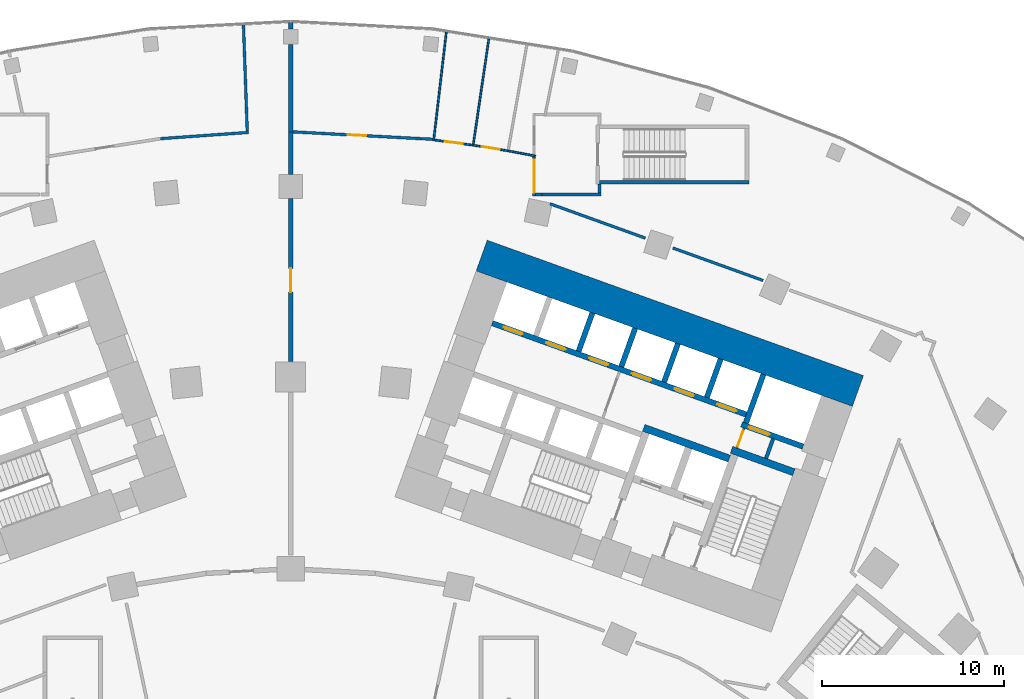
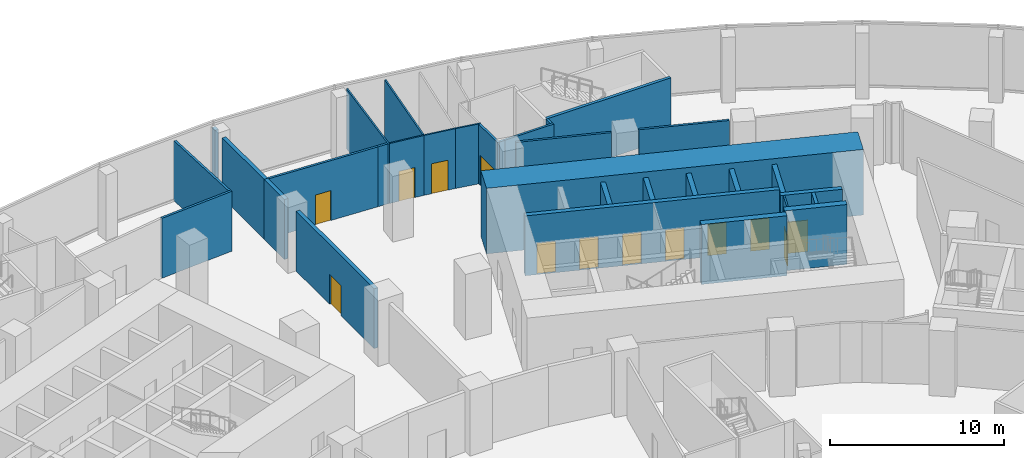
# One storey, part 28 of 39: 32 walls, 13 doors, 13 openings.
"""IFC4 building model written with IfcOpenShell, lengths in metres."""

from ifc_helpers import new_model, si_unit, direction, frame, frame_2d, origin, place, context, subcontext, project, spatial, rectangle, extrude, material, layer, layer_set, type_object, element, fill, save


model = new_model("IFC4")

# Units and contexts
model_context = context("Model", 3, precision=1e-05, world=origin(), true_north=direction((0.0, 1.0)))
body_context = subcontext(model_context, "Body", "Model", "MODEL_VIEW")
ifc_project = project(units=[si_unit("LENGTHUNIT", "METRE"), si_unit("AREAUNIT", "SQUARE_METRE"), si_unit("VOLUMEUNIT", "CUBIC_METRE"), si_unit("PLANEANGLEUNIT", "RADIAN"), si_unit("MASSUNIT", "GRAM", prefix="KILO")], contexts=[model_context])

# Site, building, storey
site_placement = place(None, origin())
site = spatial("IfcSite", under=ifc_project, at=site_placement, CompositionType="ELEMENT")
building_placement = place(site_placement, origin())
building = spatial("IfcBuilding", under=site, at=building_placement, Name="Stone Belt Terrace Tower", CompositionType="ELEMENT")
storey_placement = place(building_placement, frame((0.0, 0.0, 20.800048828125)))
storey = spatial("IfcBuildingStorey", under=building, at=storey_placement, Name="L04", CompositionType="ELEMENT", Elevation=20.800048828125)

# Walls
ifc_material_1 = material(Name="Concrete B30", Category="concrete")
ifc_layer_1 = layer(ifc_material_1, 0.25)
ifc_layer_set_1 = layer_set([ifc_layer_1], Name="Compartment wall 250")
wall_type_1 = type_object("IfcWallType", Name="Compartment wall 250", PredefinedType="SOLIDWALL", material=ifc_layer_set_1)
wall_1_placement = place(storey_placement, frame((0.0, 68.5, 0.0), z_axis=(0.0, 0.0, 1.0), x_axis=(0.0, 1.0, 0.0)))
element("IfcWall", 1, at=wall_1_placement, inside=storey, type_object=wall_type_1, Name="Compartment wall L04 6", PredefinedType="SOLIDWALL", context=body_context, shape_type="SweptSolid", body=[
    extrude(rectangle(XDim=4.807861328125, YDim=0.25, at=frame_2d((2.40380859375, 0.0))), origin(), (0.0, 0.0, 1.0), 4.199951171875),
])
wall_2_placement = place(storey_placement, frame((0.0, 74.14794921875, 0.0), z_axis=(0.0, 0.0, 1.0), x_axis=(0.0, 1.0, 0.0)))
element("IfcWall", 2, at=wall_2_placement, inside=storey, type_object=wall_type_1, Name="Compartment wall L04 6", PredefinedType="SOLIDWALL", context=body_context, shape_type="SweptSolid", body=[
    extrude(rectangle(XDim=0.35205078125, YDim=0.25, at=frame_2d((0.176025390625, 0.0))), origin(), (0.0, 0.0, 1.0), 4.199951171875),
])

# Wall, opening, door
ifc_material_2 = material(Name="Plasterboard partition")
ifc_layer_2 = layer(ifc_material_2, 0.10009765625)
ifc_layer_set_2 = layer_set([ifc_layer_2], Name="Core partition 100")
wall_type_2 = type_object("IfcWallType", Name="Core partition 100", PredefinedType="PARTITIONING", material=ifc_layer_set_2)
wall_3_placement = place(storey_placement, frame((24.555908203125, 51.10400390625, 0.0), z_axis=(0.0, 0.0, 1.0), x_axis=(0.338621735342, 0.94092258999, 0.0)))
wall_3 = element("IfcWall", 3, at=wall_3_placement, inside=storey, type_object=wall_type_2, Name="Core B wall", PredefinedType="PARTITIONING", context=body_context, shape_type="SweptSolid", body=[
    extrude(rectangle(XDim=1.14990234375, YDim=0.10009765625, at=frame_2d((0.574951171875, 0.0))), origin(), (0.0, 0.0, 1.0), 4.199951171875),
])
opening_1_placement = place(wall_3_placement, frame((0.050048828125, 0.0, 0.0)))
opening_1 = element("IfcOpeningElement", 4, at=opening_1_placement, cuts=wall_3, Name="Opening L04-C13", PredefinedType="OPENING", context=body_context, shape_type="SweptSolid", body=[
    extrude(rectangle(XDim=1.0, YDim=2.10009765625, at=frame_2d((0.5, 1.050048828125))), frame((0.0, 0.06005859375, 0.0), z_axis=(0.0, -1.0, 0.0), x_axis=(1.0, 0.0, 0.0)), (0.0, 0.0, 1.0), 0.1201171875),
])
ifc_material_3 = material(Name="Timber door leaf", Category="wood")
door_type_1 = type_object("IfcDoorType", Name="Core room door 1000", OperationType="SINGLE_SWING_LEFT", PredefinedType="DOOR", material=ifc_material_3)
door_1_placement = place(opening_1_placement, origin())
door_1 = element("IfcDoor", 5, at=door_1_placement, inside=storey, type_object=door_type_1, Name="Service lift lobby door core B", OperationType="SINGLE_SWING_RIGHT", OverallHeight=2.10009765625, OverallWidth=1.0, PredefinedType="DOOR", context=body_context, shape_type="SweptSolid", body=[
    extrude(rectangle(XDim=1.0, YDim=2.10009765625, at=frame_2d((0.5, 1.050048828125))), frame((0.0, 0.02490234375, 0.0), z_axis=(0.0, -1.0, 0.0), x_axis=(1.0, 0.0, 0.0)), (0.0, 0.0, 1.0), 0.050048828125),
])
fill(opening_1, door_1)

# Walls
ifc_material_4 = material(Name="Concrete B80", Category="concrete")
ifc_layer_3 = layer(ifc_material_4, 1.800048828125)
ifc_layer_set_3 = layer_set([ifc_layer_3], Name="Core wall 1800 B80")
wall_type_3 = type_object("IfcWallType", Name="Core wall 1800 B80", PredefinedType="SHEAR", material=ifc_layer_set_3)
wall_4_placement = place(storey_placement, frame((10.509033203125, 61.685546875, 0.0), z_axis=(0.0, 0.0, 1.0), x_axis=(0.940922914687, -0.338620833112, 0.0)))
element("IfcWall", 6, at=wall_4_placement, inside=storey, type_object=wall_type_3, Name="Core B wall convex L04", PredefinedType="SHEAR", context=body_context, shape_type="SweptSolid", body=[
    extrude(rectangle(XDim=22.000244140625, YDim=1.800048828125, at=frame_2d((11.0, 0.0))), origin(), (0.0, 0.0, 1.0), 4.599853515625),
])
ifc_layer_4 = layer(ifc_material_4, 0.39990234375)
ifc_layer_set_4 = layer_set([ifc_layer_4], Name="Fire-fighting lift shaft wall 400")
wall_type_4 = type_object("IfcWallType", Name="Fire-fighting lift shaft wall 400", PredefinedType="SHEAR", material=ifc_layer_set_4)
wall_5_placement = place(storey_placement, frame((24.130615234375, 50.512939453125, 0.0), z_axis=(0.0, 0.0, 1.0), x_axis=(-0.94091168377, 0.338652038744, 0.0)))
element("IfcWall", 7, at=wall_5_placement, inside=storey, type_object=wall_type_4, Name="Core B wall", PredefinedType="SHEAR", context=body_context, shape_type="SweptSolid", body=[
    extrude(rectangle(XDim=5.000244140625, YDim=0.39990234375, at=frame_2d((2.5, 0.0))), origin(), (0.0, 0.0, 1.0), 4.199951171875),
])

# Wall, opening, door
ifc_material_5 = material(Name="Fire-resistant glazing in steel frame", Category="steel")
ifc_layer_5 = layer(ifc_material_5, 0.25)
ifc_layer_set_5 = layer_set([ifc_layer_5], Name="Glazed compartment fire screen 250")
wall_type_5 = type_object("IfcWallType", Name="Glazed compartment fire screen 250", PredefinedType="PARTITIONING", material=ifc_layer_set_5)
wall_6_placement = place(storey_placement, frame((0.0, 55.844970703125, 0.0), z_axis=(0.0, 0.0, 1.0), x_axis=(0.0, 1.0, 0.0)))
wall_6 = element("IfcWall", 8, at=wall_6_placement, inside=storey, type_object=wall_type_5, Name="Compartment fire screen L04 4", PredefinedType="PARTITIONING", context=body_context, shape_type="SweptSolid", body=[
    extrude(rectangle(XDim=8.973876953125, YDim=0.25, at=frame_2d((4.48681640625, 0.0))), origin(), (0.0, 0.0, 1.0), 4.199951171875),
])
opening_2_placement = place(wall_6_placement, frame((3.8369140625, 0.0, 0.0)))
opening_2 = element("IfcOpeningElement", 9, at=opening_2_placement, cuts=wall_6, Name="Opening L04-P30", PredefinedType="OPENING", context=body_context, shape_type="SweptSolid", body=[
    extrude(rectangle(XDim=1.300048828125, YDim=2.10009765625, at=frame_2d((0.64990234375, 1.050048828125))), frame((0.0, 0.135009765625, 0.0), z_axis=(0.0, -1.0, 0.0), x_axis=(1.0, 0.0, 0.0)), (0.0, 0.0, 1.0), 0.27001953125),
])
ifc_material_6 = material(Name="Steel framed fire door leaf", Category="steel")
door_type_2 = type_object("IfcDoorType", Name="Fire door 1300 x 2100 EI 60", OperationType="SINGLE_SWING_LEFT", PredefinedType="DOOR", material=ifc_material_6)
door_2_placement = place(opening_2_placement, origin())
door_2 = element("IfcDoor", 10, at=door_2_placement, inside=storey, type_object=door_type_2, Name="Fire door 1300 x 2100 EI 60", OperationType="SINGLE_SWING_LEFT", OverallHeight=2.10009765625, OverallWidth=1.300048828125, PredefinedType="DOOR", context=body_context, shape_type="SweptSolid", body=[
    extrude(rectangle(XDim=1.300048828125, YDim=2.10009765625, at=frame_2d((0.64990234375, 1.050048828125))), frame((0.0, 0.02490234375, 0.0), z_axis=(0.0, -1.0, 0.0), x_axis=(1.0, 0.0, 0.0)), (0.0, 0.0, 1.0), 0.050048828125),
])
fill(opening_2, door_2)

# Wall
wall_7_placement = place(storey_placement, frame((0.0, 66.158935546875, 0.0), z_axis=(0.0, 0.0, 1.0), x_axis=(0.0, 1.0, 0.0)))
element("IfcWall", 11, at=wall_7_placement, inside=storey, type_object=wall_type_5, Name="Compartment fire screen L04 4", PredefinedType="PARTITIONING", context=body_context, shape_type="SweptSolid", body=[
    extrude(rectangle(XDim=2.341064453125, YDim=0.25, at=frame_2d((1.17041015625, 0.0))), origin(), (0.0, 0.0, 1.0), 4.199951171875),
])

# Wall, opening, door
ifc_layer_6 = layer(ifc_material_4, 0.300048828125)
ifc_layer_set_6 = layer_set([ifc_layer_6], Name="Lift shaft wall 300")
wall_type_6 = type_object("IfcWallType", Name="Lift shaft wall 300", PredefinedType="SHEAR", material=ifc_layer_set_6)
wall_8_placement = place(storey_placement, frame((28.195068359375, 51.17578125, 0.0), z_axis=(0.0, 0.0, 1.0), x_axis=(-0.940901243567, 0.338681044427, 0.0)))
wall_8 = element("IfcWall", 12, at=wall_8_placement, inside=storey, type_object=wall_type_6, Name="Core B wall", PredefinedType="SHEAR", context=body_context, shape_type="SweptSolid", body=[
    extrude(rectangle(XDim=3.599853515625, YDim=0.300048828125, at=frame_2d((1.7998046875, 0.0))), origin(), (0.0, 0.0, 1.0), 4.199951171875),
])
opening_3_placement = place(wall_8_placement, frame((1.969970703125, 0.0, 0.0)))
opening_3 = element("IfcOpeningElement", 13, at=opening_3_placement, cuts=wall_8, Name="Opening L04-LD18", PredefinedType="OPENING", context=body_context, shape_type="SweptSolid", body=[
    extrude(rectangle(XDim=1.199951171875, YDim=2.199951171875, at=frame_2d((0.60009765625, 1.10009765625))), frame((0.0, 0.159912109375, 0.0), z_axis=(0.0, -1.0, 0.0), x_axis=(1.0, 0.0, 0.0)), (0.0, 0.0, 1.0), 0.320068359375),
])
ifc_material_7 = material(Name="Stainless steel door leaf", Category="steel")
door_type_3 = type_object("IfcDoorType", Name="Landing door 1200", OperationType="SLIDING_TO_LEFT", PredefinedType="DOOR", material=ifc_material_7)
door_3_placement = place(opening_3_placement, origin())
door_3 = element("IfcDoor", 14, at=door_3_placement, inside=storey, type_object=door_type_3, Name="Landing door SV1 core B", OperationType="SLIDING_TO_LEFT", OverallHeight=2.199951171875, OverallWidth=1.199951171875, PredefinedType="DOOR", context=body_context, shape_type="SweptSolid", body=[
    extrude(rectangle(XDim=1.199951171875, YDim=2.199951171875, at=frame_2d((0.60009765625, 1.10009765625))), frame((0.0, 0.02490234375, 0.0), z_axis=(0.0, -1.0, 0.0), x_axis=(1.0, 0.0, 0.0)), (0.0, 0.0, 1.0), 0.050048828125),
])
fill(opening_3, door_3)

# Wall
wall_9_placement = place(storey_placement, frame((25.046875, 52.46826171875, 0.0), z_axis=(0.0, 0.0, 1.0), x_axis=(0.338549588058, 0.940948551423, 0.0)))
element("IfcWall", 15, at=wall_9_placement, inside=storey, type_object=wall_type_6, Name="Core B wall", PredefinedType="SHEAR", context=body_context, shape_type="SweptSolid", body=[
    extrude(rectangle(XDim=2.849853515625, YDim=0.300048828125, at=frame_2d((1.4248046875, 0.0))), origin(), (0.0, 0.0, 1.0), 4.199951171875),
])

# Wall, openings, doors
wall_10_placement = place(storey_placement, frame((25.05810546875, 52.9423828125, 0.0), z_axis=(0.0, 0.0, 1.0), x_axis=(-0.940918215764, 0.338633889685, 0.0)))
wall_10 = element("IfcWall", 16, at=wall_10_placement, inside=storey, type_object=wall_type_6, Name="Core B wall", PredefinedType="SHEAR", context=body_context, shape_type="SweptSolid", body=[
    extrude(rectangle(XDim=14.850341796875, YDim=0.300048828125, at=frame_2d((7.42529296875, 0.0))), origin(), (0.0, 0.0, 1.0), 4.199951171875),
])
opening_4_placement = place(wall_10_placement, frame((0.570068359375, 0.0, 0.0)))
opening_4 = element("IfcOpeningElement", 17, at=opening_4_placement, cuts=wall_10, Name="Opening L04-LD10", PredefinedType="OPENING", context=body_context, shape_type="SweptSolid", body=[
    extrude(rectangle(XDim=1.10009765625, YDim=2.199951171875, at=frame_2d((0.550048828125, 1.10009765625))), frame((0.0, 0.159912109375, 0.0), z_axis=(0.0, -1.0, 0.0), x_axis=(1.0, 0.0, 0.0)), (0.0, 0.0, 1.0), 0.320068359375),
])
opening_5_placement = place(wall_10_placement, frame((3.070068359375, 0.0, 0.0)))
opening_5 = element("IfcOpeningElement", 18, at=opening_5_placement, cuts=wall_10, Name="Opening L04-LD11", PredefinedType="OPENING", context=body_context, shape_type="SweptSolid", body=[
    extrude(rectangle(XDim=1.10009765625, YDim=2.199951171875, at=frame_2d((0.550048828125, 1.10009765625))), frame((0.0, 0.159912109375, 0.0), z_axis=(0.0, -1.0, 0.0), x_axis=(1.0, 0.0, 0.0)), (0.0, 0.0, 1.0), 0.320068359375),
])
opening_6_placement = place(wall_10_placement, frame((5.570068359375, 0.0, 0.0)))
opening_6 = element("IfcOpeningElement", 19, at=opening_6_placement, cuts=wall_10, Name="Opening L04-LD12", PredefinedType="OPENING", context=body_context, shape_type="SweptSolid", body=[
    extrude(rectangle(XDim=1.10009765625, YDim=2.199951171875, at=frame_2d((0.550048828125, 1.10009765625))), frame((0.0, 0.159912109375, 0.0), z_axis=(0.0, -1.0, 0.0), x_axis=(1.0, 0.0, 0.0)), (0.0, 0.0, 1.0), 0.320068359375),
])
opening_7_placement = place(wall_10_placement, frame((8.070068359375, 0.0, 0.0)))
opening_7 = element("IfcOpeningElement", 20, at=opening_7_placement, cuts=wall_10, Name="Opening L04-LD13", PredefinedType="OPENING", context=body_context, shape_type="SweptSolid", body=[
    extrude(rectangle(XDim=1.10009765625, YDim=2.199951171875, at=frame_2d((0.550048828125, 1.10009765625))), frame((0.0, 0.159912109375, 0.0), z_axis=(0.0, -1.0, 0.0), x_axis=(1.0, 0.0, 0.0)), (0.0, 0.0, 1.0), 0.320068359375),
])
opening_8_placement = place(wall_10_placement, frame((10.570068359375, 0.0, 0.0)))
opening_8 = element("IfcOpeningElement", 21, at=opening_8_placement, cuts=wall_10, Name="Opening L04-LD14", PredefinedType="OPENING", context=body_context, shape_type="SweptSolid", body=[
    extrude(rectangle(XDim=1.10009765625, YDim=2.199951171875, at=frame_2d((0.550048828125, 1.10009765625))), frame((0.0, 0.159912109375, 0.0), z_axis=(0.0, -1.0, 0.0), x_axis=(1.0, 0.0, 0.0)), (0.0, 0.0, 1.0), 0.320068359375),
])
opening_9_placement = place(wall_10_placement, frame((13.070068359375, 0.0, 0.0)))
opening_9 = element("IfcOpeningElement", 22, at=opening_9_placement, cuts=wall_10, Name="Opening L04-LD15", PredefinedType="OPENING", context=body_context, shape_type="SweptSolid", body=[
    extrude(rectangle(XDim=1.10009765625, YDim=2.199951171875, at=frame_2d((0.550048828125, 1.10009765625))), frame((0.0, 0.159912109375, 0.0), z_axis=(0.0, -1.0, 0.0), x_axis=(1.0, 0.0, 0.0)), (0.0, 0.0, 1.0), 0.320068359375),
])
door_type_4 = type_object("IfcDoorType", Name="Landing door 1100", OperationType="SLIDING_TO_LEFT", PredefinedType="DOOR", material=ifc_material_7)
door_4_placement = place(opening_4_placement, origin())
door_4 = element("IfcDoor", 23, at=door_4_placement, inside=storey, type_object=door_type_4, Name="Landing door LR1 core B", OperationType="SLIDING_TO_LEFT", OverallHeight=2.199951171875, OverallWidth=1.10009765625, PredefinedType="DOOR", context=body_context, shape_type="SweptSolid", body=[
    extrude(rectangle(XDim=1.10009765625, YDim=2.199951171875, at=frame_2d((0.550048828125, 1.10009765625))), frame((0.0, 0.02490234375, 0.0), z_axis=(0.0, -1.0, 0.0), x_axis=(1.0, 0.0, 0.0)), (0.0, 0.0, 1.0), 0.050048828125),
])
fill(opening_4, door_4)
door_5_placement = place(opening_5_placement, origin())
door_5 = element("IfcDoor", 24, at=door_5_placement, inside=storey, type_object=door_type_4, Name="Landing door LR2 core B", OperationType="SLIDING_TO_LEFT", OverallHeight=2.199951171875, OverallWidth=1.10009765625, PredefinedType="DOOR", context=body_context, shape_type="SweptSolid", body=[
    extrude(rectangle(XDim=1.10009765625, YDim=2.199951171875, at=frame_2d((0.550048828125, 1.10009765625))), frame((0.0, 0.02490234375, 0.0), z_axis=(0.0, -1.0, 0.0), x_axis=(1.0, 0.0, 0.0)), (0.0, 0.0, 1.0), 0.050048828125),
])
fill(opening_5, door_5)
door_6_placement = place(opening_6_placement, origin())
door_6 = element("IfcDoor", 25, at=door_6_placement, inside=storey, type_object=door_type_4, Name="Landing door LR3 core B", OperationType="SLIDING_TO_LEFT", OverallHeight=2.199951171875, OverallWidth=1.10009765625, PredefinedType="DOOR", context=body_context, shape_type="SweptSolid", body=[
    extrude(rectangle(XDim=1.10009765625, YDim=2.199951171875, at=frame_2d((0.550048828125, 1.10009765625))), frame((0.0, 0.02490234375, 0.0), z_axis=(0.0, -1.0, 0.0), x_axis=(1.0, 0.0, 0.0)), (0.0, 0.0, 1.0), 0.050048828125),
])
fill(opening_6, door_6)
door_7_placement = place(opening_7_placement, origin())
door_7 = element("IfcDoor", 26, at=door_7_placement, inside=storey, type_object=door_type_4, Name="Landing door LR4 core B", OperationType="SLIDING_TO_LEFT", OverallHeight=2.199951171875, OverallWidth=1.10009765625, PredefinedType="DOOR", context=body_context, shape_type="SweptSolid", body=[
    extrude(rectangle(XDim=1.10009765625, YDim=2.199951171875, at=frame_2d((0.550048828125, 1.10009765625))), frame((0.0, 0.02490234375, 0.0), z_axis=(0.0, -1.0, 0.0), x_axis=(1.0, 0.0, 0.0)), (0.0, 0.0, 1.0), 0.050048828125),
])
fill(opening_7, door_7)
door_8_placement = place(opening_8_placement, origin())
door_8 = element("IfcDoor", 27, at=door_8_placement, inside=storey, type_object=door_type_4, Name="Landing door LR5 core B", OperationType="SLIDING_TO_LEFT", OverallHeight=2.199951171875, OverallWidth=1.10009765625, PredefinedType="DOOR", context=body_context, shape_type="SweptSolid", body=[
    extrude(rectangle(XDim=1.10009765625, YDim=2.199951171875, at=frame_2d((0.550048828125, 1.10009765625))), frame((0.0, 0.02490234375, 0.0), z_axis=(0.0, -1.0, 0.0), x_axis=(1.0, 0.0, 0.0)), (0.0, 0.0, 1.0), 0.050048828125),
])
fill(opening_8, door_8)
door_9_placement = place(opening_9_placement, origin())
door_9 = element("IfcDoor", 28, at=door_9_placement, inside=storey, type_object=door_type_4, Name="Landing door LR6 core B", OperationType="SLIDING_TO_LEFT", OverallHeight=2.199951171875, OverallWidth=1.10009765625, PredefinedType="DOOR", context=body_context, shape_type="SweptSolid", body=[
    extrude(rectangle(XDim=1.10009765625, YDim=2.199951171875, at=frame_2d((0.550048828125, 1.10009765625))), frame((0.0, 0.02490234375, 0.0), z_axis=(0.0, -1.0, 0.0), x_axis=(1.0, 0.0, 0.0)), (0.0, 0.0, 1.0), 0.050048828125),
])
fill(opening_9, door_9)

# Walls
wall_11_placement = place(storey_placement, frame((22.897705078125, 53.87939453125, 0.0), z_axis=(0.0, 0.0, 1.0), x_axis=(0.338535034312, 0.940953787677, 0.0)))
element("IfcWall", 29, at=wall_11_placement, inside=storey, type_object=wall_type_6, Name="Core B wall", PredefinedType="SHEAR", context=body_context, shape_type="SweptSolid", body=[
    extrude(rectangle(XDim=2.25, YDim=0.300048828125, at=frame_2d((1.125, 0.0))), origin(), (0.0, 0.0, 1.0), 4.199951171875),
])
wall_12_placement = place(storey_placement, frame((20.54541015625, 54.72607421875, 0.0), z_axis=(0.0, 0.0, 1.0), x_axis=(0.338569601369, 0.940941350472, 0.0)))
element("IfcWall", 30, at=wall_12_placement, inside=storey, type_object=wall_type_6, Name="Core B wall", PredefinedType="SHEAR", context=body_context, shape_type="SweptSolid", body=[
    extrude(rectangle(XDim=2.249755859375, YDim=0.300048828125, at=frame_2d((1.125, 0.0))), origin(), (0.0, 0.0, 1.0), 4.199951171875),
])
wall_13_placement = place(storey_placement, frame((18.193115234375, 55.572509765625, 0.0), z_axis=(0.0, 0.0, 1.0), x_axis=(0.338535034312, 0.940953787677, 0.0)))
element("IfcWall", 31, at=wall_13_placement, inside=storey, type_object=wall_type_6, Name="Core B wall", PredefinedType="SHEAR", context=body_context, shape_type="SweptSolid", body=[
    extrude(rectangle(XDim=2.25, YDim=0.300048828125, at=frame_2d((1.125, 0.0))), origin(), (0.0, 0.0, 1.0), 4.199951171875),
])
wall_14_placement = place(storey_placement, frame((15.8408203125, 56.419189453125, 0.0), z_axis=(0.0, 0.0, 1.0), x_axis=(0.338569601369, 0.940941350472, 0.0)))
element("IfcWall", 32, at=wall_14_placement, inside=storey, type_object=wall_type_6, Name="Core B wall", PredefinedType="SHEAR", context=body_context, shape_type="SweptSolid", body=[
    extrude(rectangle(XDim=2.249755859375, YDim=0.300048828125, at=frame_2d((1.125, 0.0))), origin(), (0.0, 0.0, 1.0), 4.199951171875),
])
ifc_material_8 = material(Name="Gypsum board on steel stud partition", Category="steel")
ifc_layer_7 = layer(ifc_material_8, 0.14990234375)
ifc_layer_set_7 = layer_set([ifc_layer_7], Name="Podium partition 150")
wall_type_7 = type_object("IfcWallType", Name="Podium partition 150", PredefinedType="PARTITIONING", material=ifc_layer_set_7)
wall_15_placement = place(storey_placement, frame((-7.15673828125, 68.1201171875, 0.0), z_axis=(0.0, 0.0, 1.0), x_axis=(0.997467628249, 0.071121941725, 0.0)))
element("IfcWall", 33, at=wall_15_placement, inside=storey, type_object=wall_type_7, Name="Podium partition 150", PredefinedType="PARTITIONING", context=body_context, shape_type="SweptSolid", body=[
    extrude(rectangle(XDim=4.853759765625, YDim=0.14990234375, at=frame_2d((2.4267578125, 0.0))), origin(), (0.0, 0.0, 1.0), 4.199951171875),
])
wall_16_placement = place(storey_placement, frame((-2.603515625, 74.45458984375, 0.0), z_axis=(0.0, 0.0, 1.0), x_axis=(0.035610673417, -0.999365738826, 0.0)))
element("IfcWall", 34, at=wall_16_placement, inside=storey, type_object=wall_type_7, Name="Podium partition 150", PredefinedType="PARTITIONING", context=body_context, shape_type="SweptSolid", body=[
    extrude(rectangle(XDim=5.92333984375, YDim=0.14990234375, at=frame_2d((2.961669921875, 0.0))), origin(), (0.0, 0.0, 1.0), 4.199951171875),
])

# Wall, opening, door
wall_17_placement = place(storey_placement, frame((0.125, 68.493408203125, 0.0), z_axis=(0.0, 0.0, 1.0), x_axis=(0.998595046743, -0.052989929426, 0.0)))
wall_17 = element("IfcWall", 35, at=wall_17_placement, inside=storey, type_object=wall_type_7, Name="Podium partition 150", PredefinedType="PARTITIONING", context=body_context, shape_type="SweptSolid", body=[
    extrude(rectangle(XDim=7.044677734375, YDim=0.14990234375, at=frame_2d((3.5224609375, 0.0))), origin(), (0.0, 0.0, 1.0), 4.199951171875),
])
opening_10_placement = place(wall_17_placement, frame((3.022216796875, 0.0, 0.0)))
opening_10 = element("IfcOpeningElement", 36, at=opening_10_placement, cuts=wall_17, Name="Opening L04-P12", PredefinedType="OPENING", context=body_context, shape_type="SweptSolid", body=[
    extrude(rectangle(XDim=1.0, YDim=2.10009765625, at=frame_2d((0.5, 1.050048828125))), frame((0.0, 0.0849609375, 0.0), z_axis=(0.0, -1.0, 0.0), x_axis=(1.0, 0.0, 0.0)), (0.0, 0.0, 1.0), 0.169921875),
])
ifc_material_9 = material(Name="Steel framed door leaf", Category="steel")
door_type_5 = type_object("IfcDoorType", Name="Podium door single 1000", OperationType="SINGLE_SWING_LEFT", PredefinedType="DOOR", material=ifc_material_9)
door_10_placement = place(opening_10_placement, origin())
door_10 = element("IfcDoor", 37, at=door_10_placement, inside=storey, type_object=door_type_5, Name="Podium door single 1000", OperationType="SINGLE_SWING_RIGHT", OverallHeight=2.10009765625, OverallWidth=1.0, PredefinedType="DOOR", context=body_context, shape_type="SweptSolid", body=[
    extrude(rectangle(XDim=1.0, YDim=2.10009765625, at=frame_2d((0.5, 1.050048828125))), frame((0.0, 0.02490234375, 0.0), z_axis=(0.0, -1.0, 0.0), x_axis=(1.0, 0.0, 0.0)), (0.0, 0.0, 1.0), 0.050048828125),
])
fill(opening_10, door_10)

# Wall
wall_18_placement = place(storey_placement, frame((7.160400390625, 68.1201171875, 0.0), z_axis=(0.0, 0.0, 1.0), x_axis=(0.998965488776, -0.045474742827, 0.0)))
element("IfcWall", 38, at=wall_18_placement, inside=storey, type_object=wall_type_7, Name="Podium partition 150", PredefinedType="PARTITIONING", context=body_context, shape_type="SweptSolid", body=[
    extrude(rectangle(XDim=0.660400390625, YDim=0.14990234375, at=frame_2d((0.330078125, 0.0))), origin(), (0.0, 0.0, 1.0), 4.199951171875),
])

# Wall, opening, door
wall_19_placement = place(storey_placement, frame((13.389892578125, 64.97509765625, 0.0), z_axis=(0.0, 0.0, 1.0), x_axis=(0.0, 1.0, 0.0)))
wall_19 = element("IfcWall", 39, at=wall_19_placement, inside=storey, type_object=wall_type_7, Name="Podium partition 150", PredefinedType="PARTITIONING", context=body_context, shape_type="SweptSolid", body=[
    extrude(rectangle(XDim=2.154052734375, YDim=0.14990234375, at=frame_2d((1.0771484375, 0.0))), origin(), (0.0, 0.0, 1.0), 4.199951171875),
])
opening_11_placement = place(wall_19_placement, frame((0.177001953125, 0.0, 0.0)))
opening_11 = element("IfcOpeningElement", 40, at=opening_11_placement, cuts=wall_19, Name="Opening L04-P36", PredefinedType="OPENING", context=body_context, shape_type="SweptSolid", body=[
    extrude(rectangle(XDim=1.800048828125, YDim=2.10009765625, at=frame_2d((0.89990234375, 1.050048828125))), frame((0.0, 0.0849609375, 0.0), z_axis=(0.0, -1.0, 0.0), x_axis=(1.0, 0.0, 0.0)), (0.0, 0.0, 1.0), 0.169921875),
])
door_type_6 = type_object("IfcDoorType", Name="Podium door double 1800", OperationType="DOUBLE_DOOR_SINGLE_SWING", PredefinedType="DOOR", material=ifc_material_9)
door_11_placement = place(opening_11_placement, origin())
door_11 = element("IfcDoor", 41, at=door_11_placement, inside=storey, type_object=door_type_6, Name="Podium door double 1800", OperationType="DOUBLE_DOOR_SINGLE_SWING", OverallHeight=2.10009765625, OverallWidth=1.800048828125, PredefinedType="DOOR", context=body_context, shape_type="SweptSolid", body=[
    extrude(rectangle(XDim=1.800048828125, YDim=2.10009765625, at=frame_2d((0.89990234375, 1.050048828125))), frame((0.0, 0.02490234375, 0.0), z_axis=(0.0, -1.0, 0.0), x_axis=(1.0, 0.0, 0.0)), (0.0, 0.0, 1.0), 0.050048828125),
])
fill(opening_11, door_11)

# Walls
wall_20_placement = place(storey_placement, frame((13.465087890625, 65.050048828125, 0.0), z_axis=(0.0, 0.0, 1.0), x_axis=(1.0, 0.0, 0.0)))
element("IfcWall", 42, at=wall_20_placement, inside=storey, type_object=wall_type_7, Name="Podium partition 150", PredefinedType="PARTITIONING", context=body_context, shape_type="SweptSolid", body=[
    extrude(rectangle(XDim=0.353515625, YDim=0.14990234375, at=frame_2d((0.1767578125, 0.0))), origin(), (0.0, 0.0, 1.0), 4.199951171875),
])
wall_21_placement = place(storey_placement, frame((14.269287109375, 64.53662109375, 0.0), z_axis=(0.0, 0.0, 1.0), x_axis=(0.940866751897, -0.338776851593, 0.0)))
element("IfcWall", 43, at=wall_21_placement, inside=storey, type_object=wall_type_7, Name="Podium partition 150", PredefinedType="PARTITIONING", context=body_context, shape_type="SweptSolid", body=[
    extrude(rectangle(XDim=5.57421875, YDim=0.14990234375, at=frame_2d((2.787109375, 0.0))), origin(), (0.0, 0.0, 1.0), 4.199951171875),
])
wall_22_placement = place(storey_placement, frame((21.02685546875, 62.103515625, 0.0), z_axis=(0.0, 0.0, 1.0), x_axis=(0.940870894007, -0.338765347712, 0.0)))
element("IfcWall", 44, at=wall_22_placement, inside=storey, type_object=wall_type_7, Name="Podium partition 150", PredefinedType="PARTITIONING", context=body_context, shape_type="SweptSolid", body=[
    extrude(rectangle(XDim=5.276123046875, YDim=0.14990234375, at=frame_2d((2.63818359375, 0.0))), origin(), (0.0, 0.0, 1.0), 4.199951171875),
])
wall_23_placement = place(storey_placement, frame((13.820068359375, 65.050048828125, 0.0), z_axis=(0.0, 0.0, 1.0), x_axis=(1.0, 0.0, 0.0)))
element("IfcWall", 45, at=wall_23_placement, inside=storey, type_object=wall_type_7, Name="Podium partition 150", PredefinedType="PARTITIONING", context=body_context, shape_type="SweptSolid", body=[
    extrude(rectangle(XDim=3.244873046875, YDim=0.14990234375, at=frame_2d((1.62255859375, 0.0))), origin(), (0.0, 0.0, 1.0), 4.199951171875),
])
wall_24_placement = place(storey_placement, frame((16.989990234375, 65.125, 0.0), z_axis=(0.0, 0.0, 1.0), x_axis=(0.0, 1.0, 0.0)))
element("IfcWall", 46, at=wall_24_placement, inside=storey, type_object=wall_type_7, Name="Podium partition 150", PredefinedType="PARTITIONING", context=body_context, shape_type="SweptSolid", body=[
    extrude(rectangle(XDim=0.4951171875, YDim=0.14990234375, at=frame_2d((0.24755859375, 0.0))), origin(), (0.0, 0.0, 1.0), 4.199951171875),
])
ifc_layer_8 = layer(ifc_material_1, 0.199951171875)
ifc_layer_set_8 = layer_set([ifc_layer_8], Name="Podium stair and shaft wall 200")
wall_type_8 = type_object("IfcWallType", Name="Podium stair and shaft wall 200", PredefinedType="SOLIDWALL", material=ifc_layer_set_8)
wall_25_placement = place(storey_placement, frame((16.989990234375, 65.719970703125, 0.0), z_axis=(0.0, 0.0, 1.0), x_axis=(1.0, 0.0, 0.0)))
element("IfcWall", 47, at=wall_25_placement, inside=storey, type_object=wall_type_8, Name="Podium stair and shaft wall 200", PredefinedType="SOLIDWALL", context=body_context, shape_type="SweptSolid", body=[
    extrude(rectangle(XDim=8.219970703125, YDim=0.199951171875, at=frame_2d((4.10986328125, 0.0))), origin(), (0.0, 0.0, 1.0), 4.199951171875),
])
ifc_material_10 = material(Name="Moisture-resistant board on steel stud partition", Category="steel")
ifc_layer_9 = layer(ifc_material_10, 0.10009765625)
ifc_layer_set_9 = layer_set([ifc_layer_9], Name="Podium toilet partition 100")
wall_type_9 = type_object("IfcWallType", Name="Podium toilet partition 100", PredefinedType="PARTITIONING", material=ifc_layer_set_9)
wall_26_placement = place(storey_placement, frame((7.8642578125, 68.000244140625, 0.0), z_axis=(0.0, 0.0, 1.0), x_axis=(0.115761193963, 0.99327707412, 0.0)))
element("IfcWall", 48, at=wall_26_placement, inside=storey, type_object=wall_type_9, Name="Podium toilet partition 100", PredefinedType="PARTITIONING", context=body_context, shape_type="SweptSolid", body=[
    extrude(rectangle(XDim=6.046630859375, YDim=0.10009765625, at=frame_2d((3.0234375, 0.0))), origin(), (0.0, 0.0, 1.0), 4.199951171875),
])

# Wall, opening, door
wall_27_placement = place(storey_placement, frame((7.919677734375, 68.04345703125, 0.0), z_axis=(0.0, 0.0, 1.0), x_axis=(0.99117697671, -0.132545089836, 0.0)))
wall_27 = element("IfcWall", 49, at=wall_27_placement, inside=storey, type_object=wall_type_9, Name="Podium toilet partition 100", PredefinedType="PARTITIONING", context=body_context, shape_type="SweptSolid", body=[
    extrude(rectangle(XDim=2.138427734375, YDim=0.10009765625, at=frame_2d((1.0693359375, 0.0))), origin(), (0.0, 0.0, 1.0), 4.199951171875),
])
opening_12_placement = place(wall_27_placement, frame((0.5693359375, 0.0, 0.0)))
opening_12 = element("IfcOpeningElement", 50, at=opening_12_placement, cuts=wall_27, Name="Opening L04-P13", PredefinedType="OPENING", context=body_context, shape_type="SweptSolid", body=[
    extrude(rectangle(XDim=1.0, YDim=2.10009765625, at=frame_2d((0.5, 1.050048828125))), frame((0.0, 0.06005859375, 0.0), z_axis=(0.0, -1.0, 0.0), x_axis=(1.0, 0.0, 0.0)), (0.0, 0.0, 1.0), 0.1201171875),
])
door_12_placement = place(opening_12_placement, origin())
door_12 = element("IfcDoor", 51, at=door_12_placement, inside=storey, type_object=door_type_5, Name="Podium door single 1000", OperationType="SINGLE_SWING_LEFT", OverallHeight=2.10009765625, OverallWidth=1.0, PredefinedType="DOOR", context=body_context, shape_type="SweptSolid", body=[
    extrude(rectangle(XDim=1.0, YDim=2.10009765625, at=frame_2d((0.5, 1.050048828125))), frame((0.0, 0.02490234375, 0.0), z_axis=(0.0, -1.0, 0.0), x_axis=(1.0, 0.0, 0.0)), (0.0, 0.0, 1.0), 0.050048828125),
])
fill(opening_12, door_12)

# Wall
wall_28_placement = place(storey_placement, frame((10.04736328125, 67.8095703125, 0.0), z_axis=(0.0, 0.0, 1.0), x_axis=(0.145699522325, 0.989328888285, 0.0)))
element("IfcWall", 52, at=wall_28_placement, inside=storey, type_object=wall_type_9, Name="Podium toilet partition 100", PredefinedType="PARTITIONING", context=body_context, shape_type="SweptSolid", body=[
    extrude(rectangle(XDim=5.9501953125, YDim=0.10009765625, at=frame_2d((2.97509765625, 0.0))), origin(), (0.0, 0.0, 1.0), 4.199951171875),
])

# Wall, opening, door
wall_29_placement = place(storey_placement, frame((10.040771484375, 67.760009765625, 0.0), z_axis=(0.0, 0.0, 1.0), x_axis=(0.987209885066, -0.159425979149, 0.0)))
wall_29 = element("IfcWall", 53, at=wall_29_placement, inside=storey, type_object=wall_type_9, Name="Podium toilet partition 100", PredefinedType="PARTITIONING", context=body_context, shape_type="SweptSolid", body=[
    extrude(rectangle(XDim=1.943359375, YDim=0.10009765625, at=frame_2d((0.9716796875, 0.0))), origin(), (0.0, 0.0, 1.0), 4.199951171875),
])
opening_13_placement = place(wall_29_placement, frame((0.4716796875, 0.0, 0.0)))
opening_13 = element("IfcOpeningElement", 54, at=opening_13_placement, cuts=wall_29, Name="Opening L04-P14", PredefinedType="OPENING", context=body_context, shape_type="SweptSolid", body=[
    extrude(rectangle(XDim=1.0, YDim=2.10009765625, at=frame_2d((0.5, 1.050048828125))), frame((0.0, 0.06005859375, 0.0), z_axis=(0.0, -1.0, 0.0), x_axis=(1.0, 0.0, 0.0)), (0.0, 0.0, 1.0), 0.1201171875),
])
door_13_placement = place(opening_13_placement, origin())
door_13 = element("IfcDoor", 55, at=door_13_placement, inside=storey, type_object=door_type_5, Name="Podium door single 1000", OperationType="SINGLE_SWING_RIGHT", OverallHeight=2.10009765625, OverallWidth=1.0, PredefinedType="DOOR", context=body_context, shape_type="SweptSolid", body=[
    extrude(rectangle(XDim=1.0, YDim=2.10009765625, at=frame_2d((0.5, 1.050048828125))), frame((0.0, 0.02490234375, 0.0), z_axis=(0.0, -1.0, 0.0), x_axis=(1.0, 0.0, 0.0)), (0.0, 0.0, 1.0), 0.050048828125),
])
fill(opening_13, door_13)

# Walls
wall_30_placement = place(storey_placement, frame((11.960693359375, 67.449951171875, 0.0), z_axis=(0.0, 0.0, 1.0), x_axis=(0.982622162709, -0.185617039499, 0.0)))
element("IfcWall", 56, at=wall_30_placement, inside=storey, type_object=wall_type_9, Name="Podium toilet partition 100", PredefinedType="PARTITIONING", context=body_context, shape_type="SweptSolid", body=[
    extrude(rectangle(XDim=1.531005859375, YDim=0.10009765625, at=frame_2d((0.765625, 0.0))), origin(), (0.0, 0.0, 1.0), 4.199951171875),
])
ifc_material_11 = material(Name="Concrete masonry block", Category="masonry")
ifc_layer_10 = layer(ifc_material_11, 0.199951171875)
ifc_layer_set_10 = layer_set([ifc_layer_10], Name="Rated lobby wall 200")
wall_type_10 = type_object("IfcWallType", Name="Rated lobby wall 200", PredefinedType="PARTITIONING", material=ifc_layer_set_10)
wall_31_placement = place(storey_placement, frame((26.1552734375, 50.5283203125, 0.0), z_axis=(0.0, 0.0, 1.0), x_axis=(0.338621735342, 0.94092258999, 0.0)))
element("IfcWall", 57, at=wall_31_placement, inside=storey, type_object=wall_type_10, Name="Core B wall", PredefinedType="PARTITIONING", context=body_context, shape_type="SweptSolid", body=[
    extrude(rectangle(XDim=1.14990234375, YDim=0.199951171875, at=frame_2d((0.574951171875, 0.0))), origin(), (0.0, 0.0, 1.0), 4.199951171875),
])
ifc_layer_11 = layer(ifc_material_4, 0.39990234375)
ifc_layer_set_11 = layer_set([ifc_layer_11], Name="Stair enclosure wall 400")
wall_type_11 = type_object("IfcWallType", Name="Stair enclosure wall 400", PredefinedType="SHEAR", material=ifc_layer_set_11)
wall_32_placement = place(storey_placement, frame((27.687255859375, 49.764404296875, 0.0), z_axis=(0.0, 0.0, 1.0), x_axis=(-0.940918954884, 0.338631835981, 0.0)))
element("IfcWall", 58, at=wall_32_placement, inside=storey, type_object=wall_type_11, Name="Core B wall", PredefinedType="SHEAR", context=body_context, shape_type="SweptSolid", body=[
    extrude(rectangle(XDim=3.650146484375, YDim=0.39990234375, at=frame_2d((1.8251953125, 0.0))), origin(), (0.0, 0.0, 1.0), 4.199951171875),
])

save(model, "model.ifc")
